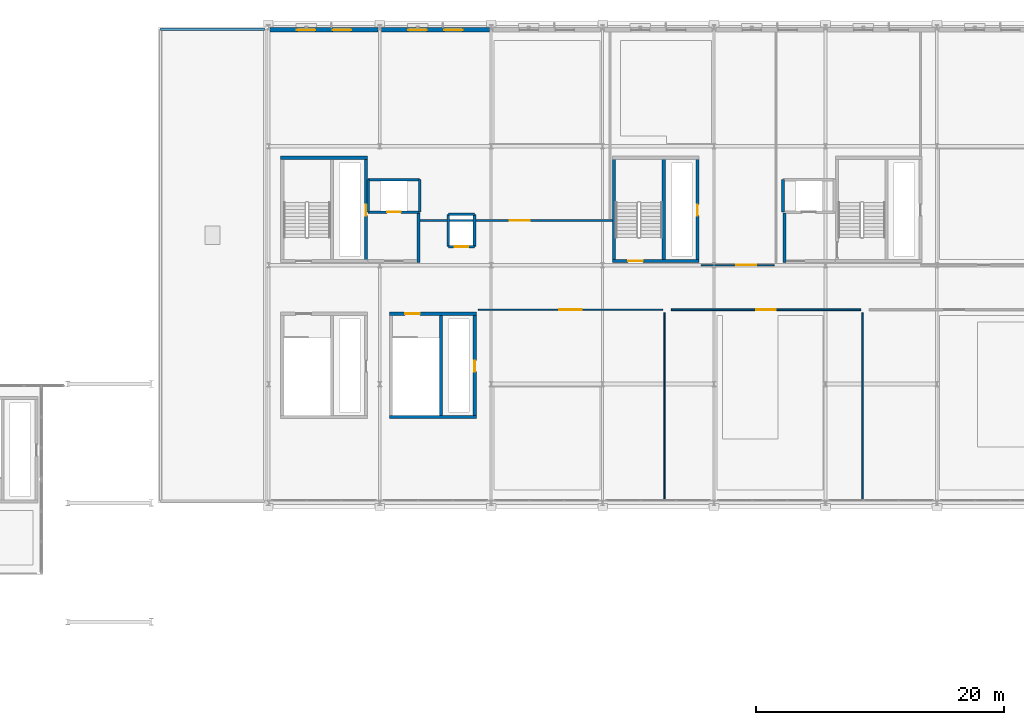
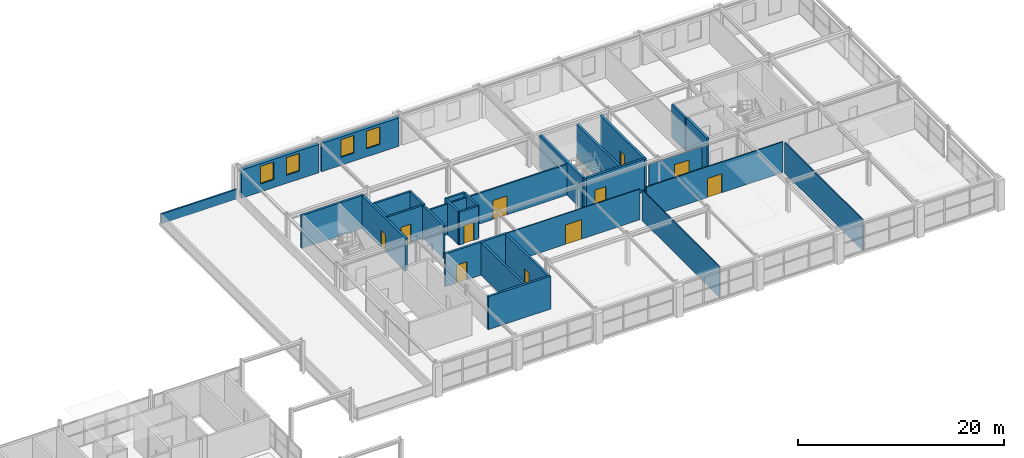
# One storey, part 38 of 52: 30 walls, 11 doors, 4 windows, 15 openings.
"""IFC4 building model written with IfcOpenShell, lengths in metres."""

from ifc_helpers import new_model, si_unit, direction, frame, frame_2d, origin, place, context, subcontext, project, spatial, rectangle, extrude, material, layer, layer_set, type_object, element, fill, save


model = new_model("IFC4")

# Units and contexts
model_context = context("Model", 3, precision=1e-05, world=origin(), true_north=direction((0.0, 1.0)))
body_context = subcontext(model_context, "Body", "Model", "MODEL_VIEW")
ifc_project = project(units=[si_unit("LENGTHUNIT", "METRE"), si_unit("AREAUNIT", "SQUARE_METRE"), si_unit("VOLUMEUNIT", "CUBIC_METRE"), si_unit("PLANEANGLEUNIT", "RADIAN"), si_unit("MASSUNIT", "GRAM", prefix="KILO")], contexts=[model_context])

# Site, building, storey
site_placement = place(None, origin())
site = spatial("IfcSite", under=ifc_project, at=site_placement, CompositionType="ELEMENT")
building_placement = place(site_placement, origin())
building = spatial("IfcBuilding", under=site, at=building_placement, Name="Myrtia Square Station", CompositionType="ELEMENT")
storey_placement = place(building_placement, frame((0.0, 0.0, 15.0)))
storey = spatial("IfcBuildingStorey", under=building, at=storey_placement, Name="L03", CompositionType="ELEMENT", Elevation=15.0)

# Wall
ifc_material_1 = material(Name="Concrete C35/45", Category="concrete")
ifc_layer_1 = layer(ifc_material_1, 0.25, Name="Concrete C35/45")
ifc_layer_set_1 = layer_set([ifc_layer_1], Name="Concrete C35/45")
wall_type_1 = type_object("IfcWallType", Name="WL-CORE-250", PredefinedType="SHEAR", material=ifc_layer_set_1)
wall_1_placement = place(storey_placement, frame((127.0, 114.27490234375, 0.0), z_axis=(0.0, 0.0, 1.0), x_axis=(1.0, 0.0, 0.0)))
element("IfcWall", 1, at=wall_1_placement, inside=storey, type_object=wall_type_1, Name="Core K7 shear wall L03 N", PredefinedType="SHEAR", context=body_context, shape_type="SweptSolid", body=[
    extrude(rectangle(XDim=7.0, YDim=0.25, at=frame_2d((3.5, 0.0))), origin(), (0.0, 0.0, 1.0), 3.89990234375),
])

# Wall, opening, door
wall_2_placement = place(storey_placement, frame((133.875, 105.800048828125, 0.0), z_axis=(0.0, 0.0, 1.0), x_axis=(0.0, 1.0, 0.0)))
wall_2 = element("IfcWall", 2, at=wall_2_placement, inside=storey, type_object=wall_type_1, Name="Core K7 shear wall L03 E", PredefinedType="SHEAR", context=body_context, shape_type="SweptSolid", body=[
    extrude(rectangle(XDim=8.599853515625, YDim=0.25, at=frame_2d((4.2998046875, 0.0))), origin(), (0.0, 0.0, 1.0), 3.89990234375),
])
opening_1_placement = place(wall_2_placement, frame((3.800048828125, 0.0, 0.0)))
opening_1 = element("IfcOpeningElement", 3, at=opening_1_placement, cuts=wall_2, Name="Opening RD-120", PredefinedType="OPENING", context=body_context, shape_type="SweptSolid", body=[
    extrude(rectangle(XDim=0.89990234375, YDim=2.050048828125, at=frame_2d((0.449951171875, 1.02490234375))), frame((0.0, 0.139892578125, 0.0), z_axis=(0.0, -1.0, 0.0), x_axis=(1.0, 0.0, 0.0)), (0.0, 0.0, 1.0), 0.280029296875),
])
ifc_material_2 = material(Name="Dark bronze anodised aluminium", Category="aluminium")
door_type_1 = type_object("IfcDoorType", Name="DR-RISER-900x2050", OperationType="NOTDEFINED", PredefinedType="DOOR", material=ifc_material_2)
door_1_placement = place(opening_1_placement, origin())
door_1 = element("IfcDoor", 4, at=door_1_placement, inside=storey, type_object=door_type_1, Name="Riser cupboard access door K7 L03", OperationType="SINGLE_SWING_RIGHT", OverallHeight=2.050048828125, OverallWidth=0.89990234375, PredefinedType="DOOR", context=body_context, shape_type="SweptSolid", body=[
    extrude(rectangle(XDim=0.89990234375, YDim=2.050048828125, at=frame_2d((0.449951171875, 1.02490234375))), frame((0.0, 0.02490234375, 0.0), z_axis=(0.0, -1.0, 0.0), x_axis=(1.0, 0.0, 0.0)), (0.0, 0.0, 1.0), 0.050048828125),
])
fill(opening_1, door_1)

# Wall
wall_3_placement = place(storey_placement, frame((135.800048828125, 93.324951171875, 0.0), z_axis=(0.0, 0.0, 1.0), x_axis=(1.0, 0.0, 0.0)))
element("IfcWall", 5, at=wall_3_placement, inside=storey, type_object=wall_type_1, Name="Core K13 shear wall L03 S", PredefinedType="SHEAR", context=body_context, shape_type="SweptSolid", body=[
    extrude(rectangle(XDim=7.0, YDim=0.25, at=frame_2d((3.5, 0.0))), origin(), (0.0, 0.0, 1.0), 3.89990234375),
])

# Wall, opening, door
wall_4_placement = place(storey_placement, frame((135.800048828125, 101.675048828125, 0.0), z_axis=(0.0, 0.0, 1.0), x_axis=(1.0, 0.0, 0.0)))
wall_4 = element("IfcWall", 6, at=wall_4_placement, inside=storey, type_object=wall_type_1, Name="Core K13 shear wall L03 N", PredefinedType="SHEAR", context=body_context, shape_type="SweptSolid", body=[
    extrude(rectangle(XDim=7.0, YDim=0.25, at=frame_2d((3.5, 0.0))), origin(), (0.0, 0.0, 1.0), 3.89990234375),
])
opening_2_placement = place(wall_4_placement, frame((1.25, 0.0, 0.0)))
opening_2 = element("IfcOpeningElement", 7, at=opening_2_placement, cuts=wall_4, Name="Opening SD-161", PredefinedType="OPENING", context=body_context, shape_type="SweptSolid", body=[
    extrude(rectangle(XDim=1.199951171875, YDim=2.14990234375, at=frame_2d((0.60009765625, 1.074951171875))), frame((0.0, 0.139892578125, 0.0), z_axis=(0.0, -1.0, 0.0), x_axis=(1.0, 0.0, 0.0)), (0.0, 0.0, 1.0), 0.280029296875),
])
door_type_2 = type_object("IfcDoorType", Name="DR-STAIR-1200x2150", OperationType="NOTDEFINED", PredefinedType="DOOR", material=ifc_material_2)
door_2_placement = place(opening_2_placement, frame((1.199951171875, 0.0, 0.0), z_axis=(0.0, 0.0, 1.0), x_axis=(-1.0, 0.0, 0.0)))
door_2 = element("IfcDoor", 8, at=door_2_placement, inside=storey, type_object=door_type_2, Name="Protected stair fire door K13 L03", OperationType="SINGLE_SWING_LEFT", OverallHeight=2.14990234375, OverallWidth=1.199951171875, PredefinedType="DOOR", context=body_context, shape_type="SweptSolid", body=[
    extrude(rectangle(XDim=1.199951171875, YDim=2.14990234375, at=frame_2d((0.60009765625, 1.074951171875))), frame((0.0, 0.02490234375, 0.0), z_axis=(0.0, -1.0, 0.0), x_axis=(1.0, 0.0, 0.0)), (0.0, 0.0, 1.0), 0.050048828125),
])
fill(opening_2, door_2)

wall_5_placement = place(storey_placement, frame((142.675048828125, 93.199951171875, 0.0), z_axis=(0.0, 0.0, 1.0), x_axis=(0.0, 1.0, 0.0)))
wall_5 = element("IfcWall", 9, at=wall_5_placement, inside=storey, type_object=wall_type_1, Name="Core K13 shear wall L03 E", PredefinedType="SHEAR", context=body_context, shape_type="SweptSolid", body=[
    extrude(rectangle(XDim=8.60009765625, YDim=0.25, at=frame_2d((4.300048828125, 0.0))), origin(), (0.0, 0.0, 1.0), 3.89990234375),
])
opening_3_placement = place(wall_5_placement, frame((3.800048828125, 0.0, 0.0)))
opening_3 = element("IfcOpeningElement", 10, at=opening_3_placement, cuts=wall_5, Name="Opening RD-162", PredefinedType="OPENING", context=body_context, shape_type="SweptSolid", body=[
    extrude(rectangle(XDim=0.89990234375, YDim=2.050048828125, at=frame_2d((0.449951171875, 1.02490234375))), frame((0.0, 0.139892578125, 0.0), z_axis=(0.0, -1.0, 0.0), x_axis=(1.0, 0.0, 0.0)), (0.0, 0.0, 1.0), 0.280029296875),
])
door_3_placement = place(opening_3_placement, origin())
door_3 = element("IfcDoor", 11, at=door_3_placement, inside=storey, type_object=door_type_1, Name="Riser cupboard access door K13 L03", OperationType="SINGLE_SWING_RIGHT", OverallHeight=2.050048828125, OverallWidth=0.89990234375, PredefinedType="DOOR", context=body_context, shape_type="SweptSolid", body=[
    extrude(rectangle(XDim=0.89990234375, YDim=2.050048828125, at=frame_2d((0.449951171875, 1.02490234375))), frame((0.0, 0.02490234375, 0.0), z_axis=(0.0, -1.0, 0.0), x_axis=(1.0, 0.0, 0.0)), (0.0, 0.0, 1.0), 0.050048828125),
])
fill(opening_3, door_3)

# Wall
wall_6_placement = place(storey_placement, frame((139.93994140625, 93.39990234375, 0.0), z_axis=(0.0, 0.0, 1.0), x_axis=(0.0, 1.0, 0.0)))
element("IfcWall", 12, at=wall_6_placement, inside=storey, type_object=wall_type_1, Name="Core K13 shear wall L03 D", PredefinedType="SHEAR", context=body_context, shape_type="SweptSolid", body=[
    extrude(rectangle(XDim=8.2001953125, YDim=0.25, at=frame_2d((4.10009765625, 0.0))), origin(), (0.0, 0.0, 1.0), 3.89990234375),
])

# Wall, opening, door
wall_7_placement = place(storey_placement, frame((153.800048828125, 105.925048828125, 0.0), z_axis=(0.0, 0.0, 1.0), x_axis=(1.0, 0.0, 0.0)))
wall_7 = element("IfcWall", 13, at=wall_7_placement, inside=storey, type_object=wall_type_1, Name="Core K15 shear wall L03 S", PredefinedType="SHEAR", context=body_context, shape_type="SweptSolid", body=[
    extrude(rectangle(XDim=7.0, YDim=0.25, at=frame_2d((3.5, 0.0))), origin(), (0.0, 0.0, 1.0), 3.89990234375),
])
opening_4_placement = place(wall_7_placement, frame((1.25, 0.0, 0.0)))
opening_4 = element("IfcOpeningElement", 14, at=opening_4_placement, cuts=wall_7, Name="Opening SD-171", PredefinedType="OPENING", context=body_context, shape_type="SweptSolid", body=[
    extrude(rectangle(XDim=1.199951171875, YDim=2.14990234375, at=frame_2d((0.60009765625, 1.074951171875))), frame((0.0, 0.139892578125, 0.0), z_axis=(0.0, -1.0, 0.0), x_axis=(1.0, 0.0, 0.0)), (0.0, 0.0, 1.0), 0.280029296875),
])
door_4_placement = place(opening_4_placement, origin())
door_4 = element("IfcDoor", 15, at=door_4_placement, inside=storey, type_object=door_type_2, Name="Protected stair fire door K15 L03", OperationType="SINGLE_SWING_LEFT", OverallHeight=2.14990234375, OverallWidth=1.199951171875, PredefinedType="DOOR", context=body_context, shape_type="SweptSolid", body=[
    extrude(rectangle(XDim=1.199951171875, YDim=2.14990234375, at=frame_2d((0.60009765625, 1.074951171875))), frame((0.0, 0.02490234375, 0.0), z_axis=(0.0, -1.0, 0.0), x_axis=(1.0, 0.0, 0.0)), (0.0, 0.0, 1.0), 0.050048828125),
])
fill(opening_4, door_4)

# Wall
wall_8_placement = place(storey_placement, frame((153.925048828125, 105.800048828125, 0.0), z_axis=(0.0, 0.0, 1.0), x_axis=(0.0, 1.0, 0.0)))
element("IfcWall", 16, at=wall_8_placement, inside=storey, type_object=wall_type_1, Name="Core K15 shear wall L03 W", PredefinedType="SHEAR", context=body_context, shape_type="SweptSolid", body=[
    extrude(rectangle(XDim=8.599853515625, YDim=0.25, at=frame_2d((4.2998046875, 0.0))), origin(), (0.0, 0.0, 1.0), 3.89990234375),
])

# Wall, opening, door
wall_9_placement = place(storey_placement, frame((160.675048828125, 105.800048828125, 0.0), z_axis=(0.0, 0.0, 1.0), x_axis=(0.0, 1.0, 0.0)))
wall_9 = element("IfcWall", 17, at=wall_9_placement, inside=storey, type_object=wall_type_1, Name="Core K15 shear wall L03 E", PredefinedType="SHEAR", context=body_context, shape_type="SweptSolid", body=[
    extrude(rectangle(XDim=8.599853515625, YDim=0.25, at=frame_2d((4.2998046875, 0.0))), origin(), (0.0, 0.0, 1.0), 3.89990234375),
])
opening_5_placement = place(wall_9_placement, frame((3.800048828125, 0.0, 0.0)))
opening_5 = element("IfcOpeningElement", 18, at=opening_5_placement, cuts=wall_9, Name="Opening RD-172", PredefinedType="OPENING", context=body_context, shape_type="SweptSolid", body=[
    extrude(rectangle(XDim=0.89990234375, YDim=2.050048828125, at=frame_2d((0.449951171875, 1.02490234375))), frame((0.0, 0.139892578125, 0.0), z_axis=(0.0, -1.0, 0.0), x_axis=(1.0, 0.0, 0.0)), (0.0, 0.0, 1.0), 0.280029296875),
])
door_5_placement = place(opening_5_placement, origin())
door_5 = element("IfcDoor", 19, at=door_5_placement, inside=storey, type_object=door_type_1, Name="Riser cupboard access door K15 L03", OperationType="SINGLE_SWING_RIGHT", OverallHeight=2.050048828125, OverallWidth=0.89990234375, PredefinedType="DOOR", context=body_context, shape_type="SweptSolid", body=[
    extrude(rectangle(XDim=0.89990234375, YDim=2.050048828125, at=frame_2d((0.449951171875, 1.02490234375))), frame((0.0, 0.02490234375, 0.0), z_axis=(0.0, -1.0, 0.0), x_axis=(1.0, 0.0, 0.0)), (0.0, 0.0, 1.0), 0.050048828125),
])
fill(opening_5, door_5)

# Wall
wall_10_placement = place(storey_placement, frame((157.93994140625, 106.0, 0.0), z_axis=(0.0, 0.0, 1.0), x_axis=(0.0, 1.0, 0.0)))
element("IfcWall", 20, at=wall_10_placement, inside=storey, type_object=wall_type_1, Name="Core K15 shear wall L03 D", PredefinedType="SHEAR", context=body_context, shape_type="SweptSolid", body=[
    extrude(rectangle(XDim=8.199951171875, YDim=0.25, at=frame_2d((4.10009765625, 0.0))), origin(), (0.0, 0.0, 1.0), 3.89990234375),
])

# Wall, openings, windows
ifc_material_3 = material(Name="Cream lime stucco on clay brick masonry", Category="masonry")
ifc_layer_2 = layer(ifc_material_3, 0.360107421875, Name="Cream lime stucco on clay brick masonry")
ifc_layer_set_2 = layer_set([ifc_layer_2], Name="Cream lime stucco on clay brick masonry")
wall_type_2 = type_object("IfcWallType", Name="WL-EXT-STUCCO-360", PredefinedType="SOLIDWALL", material=ifc_layer_set_2)
wall_11_placement = place(storey_placement, frame((126.155029296875, 124.60009765625, 0.0), z_axis=(0.0, 0.0, 1.0), x_axis=(1.0, 0.0, 0.0)))
wall_11 = element("IfcWall", 21, at=wall_11_placement, inside=storey, type_object=wall_type_2, Name="Exterior envelope wall EW-L03-0128", PredefinedType="SOLIDWALL", context=body_context, shape_type="SweptSolid", body=[
    extrude(rectangle(XDim=8.68994140625, YDim=0.360107421875, at=frame_2d((4.344970703125, 0.0))), origin(), (0.0, 0.0, 1.0), 3.360107421875),
])
opening_6_placement = place(wall_11_placement, frame((2.14697265625, 0.0, 0.949951171875)))
opening_6 = element("IfcOpeningElement", 22, at=opening_6_placement, cuts=wall_11, Name="Opening WN-149", PredefinedType="OPENING", context=body_context, shape_type="SweptSolid", body=[
    extrude(rectangle(XDim=1.5, YDim=2.10009765625, at=frame_2d((0.75, 1.050048828125))), frame((0.0, 0.195068359375, 0.0), z_axis=(0.0, -1.0, 0.0), x_axis=(1.0, 0.0, 0.0)), (0.0, 0.0, 1.0), 0.39013671875),
])
opening_7_placement = place(wall_11_placement, frame((5.04296875, 0.0, 0.949951171875)))
opening_7 = element("IfcOpeningElement", 23, at=opening_7_placement, cuts=wall_11, Name="Opening WN-150", PredefinedType="OPENING", context=body_context, shape_type="SweptSolid", body=[
    extrude(rectangle(XDim=1.5, YDim=2.10009765625, at=frame_2d((0.75, 1.050048828125))), frame((0.0, 0.195068359375, 0.0), z_axis=(0.0, -1.0, 0.0), x_axis=(1.0, 0.0, 0.0)), (0.0, 0.0, 1.0), 0.39013671875),
])
ifc_material_4 = material(Name="Tinted low-E solar control glass", Category="glass")
window_type = type_object("IfcWindowType", Name="WN-LOG-1500x2100", PartitioningType="SINGLE_PANEL", PredefinedType="WINDOW", material=ifc_material_4)
window_1_placement = place(opening_6_placement, origin())
window_1 = element("IfcWindow", 24, at=window_1_placement, inside=storey, type_object=window_type, Name="Window WN-149", OverallHeight=2.10009765625, OverallWidth=1.5, PartitioningType="SINGLE_PANEL", PredefinedType="WINDOW", context=body_context, shape_type="SweptSolid", body=[
    extrude(rectangle(XDim=1.5, YDim=2.10009765625, at=frame_2d((0.75, 1.050048828125))), frame((0.0, 0.030029296875, 0.0), z_axis=(0.0, -1.0, 0.0), x_axis=(1.0, 0.0, 0.0)), (0.0, 0.0, 1.0), 0.06005859375),
])
fill(opening_6, window_1)
window_2_placement = place(opening_7_placement, origin())
window_2 = element("IfcWindow", 25, at=window_2_placement, inside=storey, type_object=window_type, Name="Window WN-150", OverallHeight=2.10009765625, OverallWidth=1.5, PartitioningType="SINGLE_PANEL", PredefinedType="WINDOW", context=body_context, shape_type="SweptSolid", body=[
    extrude(rectangle(XDim=1.5, YDim=2.10009765625, at=frame_2d((0.75, 1.050048828125))), frame((0.0, 0.030029296875, 0.0), z_axis=(0.0, -1.0, 0.0), x_axis=(1.0, 0.0, 0.0)), (0.0, 0.0, 1.0), 0.06005859375),
])
fill(opening_7, window_2)

wall_12_placement = place(storey_placement, frame((135.155029296875, 124.60009765625, 0.0), z_axis=(0.0, 0.0, 1.0), x_axis=(1.0, 0.0, 0.0)))
wall_12 = element("IfcWall", 26, at=wall_12_placement, inside=storey, type_object=wall_type_2, Name="Exterior envelope wall EW-L03-0129", PredefinedType="SOLIDWALL", context=body_context, shape_type="SweptSolid", body=[
    extrude(rectangle(XDim=8.68994140625, YDim=0.360107421875, at=frame_2d((4.344970703125, 0.0))), origin(), (0.0, 0.0, 1.0), 3.360107421875),
])
opening_8_placement = place(wall_12_placement, frame((2.14697265625, 0.0, 0.949951171875)))
opening_8 = element("IfcOpeningElement", 27, at=opening_8_placement, cuts=wall_12, Name="Opening WN-151", PredefinedType="OPENING", context=body_context, shape_type="SweptSolid", body=[
    extrude(rectangle(XDim=1.5, YDim=2.10009765625, at=frame_2d((0.75, 1.050048828125))), frame((0.0, 0.195068359375, 0.0), z_axis=(0.0, -1.0, 0.0), x_axis=(1.0, 0.0, 0.0)), (0.0, 0.0, 1.0), 0.39013671875),
])
opening_9_placement = place(wall_12_placement, frame((5.04296875, 0.0, 0.949951171875)))
opening_9 = element("IfcOpeningElement", 28, at=opening_9_placement, cuts=wall_12, Name="Opening WN-152", PredefinedType="OPENING", context=body_context, shape_type="SweptSolid", body=[
    extrude(rectangle(XDim=1.5, YDim=2.10009765625, at=frame_2d((0.75, 1.050048828125))), frame((0.0, 0.195068359375, 0.0), z_axis=(0.0, -1.0, 0.0), x_axis=(1.0, 0.0, 0.0)), (0.0, 0.0, 1.0), 0.39013671875),
])
window_3_placement = place(opening_8_placement, origin())
window_3 = element("IfcWindow", 29, at=window_3_placement, inside=storey, type_object=window_type, Name="Window WN-151", OverallHeight=2.10009765625, OverallWidth=1.5, PartitioningType="SINGLE_PANEL", PredefinedType="WINDOW", context=body_context, shape_type="SweptSolid", body=[
    extrude(rectangle(XDim=1.5, YDim=2.10009765625, at=frame_2d((0.75, 1.050048828125))), frame((0.0, 0.030029296875, 0.0), z_axis=(0.0, -1.0, 0.0), x_axis=(1.0, 0.0, 0.0)), (0.0, 0.0, 1.0), 0.06005859375),
])
fill(opening_8, window_3)
window_4_placement = place(opening_9_placement, origin())
window_4 = element("IfcWindow", 30, at=window_4_placement, inside=storey, type_object=window_type, Name="Window WN-152", OverallHeight=2.10009765625, OverallWidth=1.5, PartitioningType="SINGLE_PANEL", PredefinedType="WINDOW", context=body_context, shape_type="SweptSolid", body=[
    extrude(rectangle(XDim=1.5, YDim=2.10009765625, at=frame_2d((0.75, 1.050048828125))), frame((0.0, 0.030029296875, 0.0), z_axis=(0.0, -1.0, 0.0), x_axis=(1.0, 0.0, 0.0)), (0.0, 0.0, 1.0), 0.06005859375),
])
fill(opening_9, window_4)

# Walls
ifc_layer_3 = layer(ifc_material_1, 0.239990234375, Name="Concrete C35/45")
ifc_layer_set_3 = layer_set([ifc_layer_3], Name="Concrete C35/45")
wall_type_3 = type_object("IfcWallType", Name="WL-FFL-240", PredefinedType="SHEAR", material=ifc_layer_set_3)
for number, where, z_axis, x_axis, name in (
    (31, (138.1298828125, 105.800048828125, 0.0), (0.0, 0.0, 1.0), (0.0, 1.0, 0.0), "Firefighting lift lobby EI 120 wall K7 L03 E"),
    (32, (167.669921875, 105.800048828125, 0.0), (0.0, 0.0, 1.0), (0.0, 1.0, 0.0), "Firefighting lift lobby EI 120 wall K8 L03 W"),
):
    element("IfcWall", number, at=place(storey_placement, frame(where, z_axis=z_axis, x_axis=x_axis)), inside=storey, type_object=wall_type_3, Name=name, PredefinedType="SHEAR", context=body_context, shape_type="SweptSolid", body=[
        extrude(rectangle(XDim=4.0, YDim=0.239990234375, at=frame_2d((2.0, 0.0))), origin(), (0.0, 0.0, 1.0), 3.89990234375),
    ])

# Wall, opening, door
ifc_layer_4 = layer(ifc_material_1, 0.219970703125, Name="Concrete C35/45")
ifc_layer_set_4 = layer_set([ifc_layer_4], Name="Concrete C35/45")
wall_type_4 = type_object("IfcWallType", Name="WL-LIFT-220", PredefinedType="SHEAR", material=ifc_layer_set_4)
wall_13_placement = place(storey_placement, frame((140.5400390625, 107.090087890625, 0.0), z_axis=(0.0, 0.0, 1.0), x_axis=(1.0, 0.0, 0.0)))
wall_13 = element("IfcWall", 33, at=wall_13_placement, inside=storey, type_object=wall_type_4, Name="Lift shaft wall PL-08 L03 -Y", PredefinedType="SHEAR", context=body_context, shape_type="SweptSolid", body=[
    extrude(rectangle(XDim=2.119873046875, YDim=0.219970703125, at=frame_2d((1.06005859375, 0.0))), origin(), (0.0, 0.0, 1.0), 3.89990234375),
])
opening_10_placement = place(wall_13_placement, frame((0.510009765625, 0.0, 0.0)))
opening_10 = element("IfcOpeningElement", 34, at=opening_10_placement, cuts=wall_13, Name="Opening LD-PL-08", PredefinedType="OPENING", context=body_context, shape_type="SweptSolid", body=[
    extrude(rectangle(XDim=1.10009765625, YDim=2.14990234375, at=frame_2d((0.550048828125, 1.074951171875))), frame((0.0, 0.125, 0.0), z_axis=(0.0, -1.0, 0.0), x_axis=(1.0, 0.0, 0.0)), (0.0, 0.0, 1.0), 0.25),
])
door_type_3 = type_object("IfcDoorType", Name="DR-LIFT-1100x2150", OperationType="NOTDEFINED", PredefinedType="DOOR", material=ifc_material_2)
door_6_placement = place(opening_10_placement, origin())
door_6 = element("IfcDoor", 35, at=door_6_placement, inside=storey, type_object=door_type_3, Name="Lift landing door PL-08 L03", OperationType="SLIDING_TO_RIGHT", OverallHeight=2.14990234375, OverallWidth=1.10009765625, PredefinedType="DOOR", context=body_context, shape_type="SweptSolid", body=[
    extrude(rectangle(XDim=1.10009765625, YDim=2.14990234375, at=frame_2d((0.550048828125, 1.074951171875))), frame((0.0, 0.02490234375, 0.0), z_axis=(0.0, -1.0, 0.0), x_axis=(1.0, 0.0, 0.0)), (0.0, 0.0, 1.0), 0.050048828125),
])
fill(opening_10, door_6)

# Walls
wall_14_placement = place(storey_placement, frame((140.5400390625, 109.7099609375, 0.0), z_axis=(0.0, 0.0, 1.0), x_axis=(1.0, 0.0, 0.0)))
element("IfcWall", 36, at=wall_14_placement, inside=storey, type_object=wall_type_4, Name="Lift shaft wall PL-08 L03 +Y", PredefinedType="SHEAR", context=body_context, shape_type="SweptSolid", body=[
    extrude(rectangle(XDim=2.119873046875, YDim=0.219970703125, at=frame_2d((1.06005859375, 0.0))), origin(), (0.0, 0.0, 1.0), 3.89990234375),
])
for number, where, z_axis, x_axis, name in (
    (37, (140.5400390625, 107.090087890625, 0.0), (0.0, 0.0, 1.0), (0.0, 1.0, 0.0), "Lift shaft wall PL-08 L03 -X"),
    (38, (142.659912109375, 107.090087890625, 0.0), (0.0, 0.0, 1.0), (0.0, 1.0, 0.0), "Lift shaft wall PL-08 L03 +X"),
):
    element("IfcWall", number, at=place(storey_placement, frame(where, z_axis=z_axis, x_axis=x_axis)), inside=storey, type_object=wall_type_4, Name=name, PredefinedType="SHEAR", context=body_context, shape_type="SweptSolid", body=[
        extrude(rectangle(XDim=2.619873046875, YDim=0.219970703125, at=frame_2d((1.31005859375, 0.0))), origin(), (0.0, 0.0, 1.0), 3.89990234375),
    ])

# Wall, opening, door
wall_15_placement = place(storey_placement, frame((134.070068359375, 109.8798828125, 0.0), z_axis=(0.0, 0.0, 1.0), x_axis=(1.0, 0.0, 0.0)))
wall_15 = element("IfcWall", 39, at=wall_15_placement, inside=storey, type_object=wall_type_4, Name="Lift shaft wall FFL-03 L03 -Y", PredefinedType="SHEAR", context=body_context, shape_type="SweptSolid", body=[
    extrude(rectangle(XDim=4.159912109375, YDim=0.219970703125, at=frame_2d((2.080078125, 0.0))), origin(), (0.0, 0.0, 1.0), 3.89990234375),
])
opening_11_placement = place(wall_15_placement, frame((1.530029296875, 0.0, 0.0)))
opening_11 = element("IfcOpeningElement", 40, at=opening_11_placement, cuts=wall_15, Name="Opening LD-FFL-03", PredefinedType="OPENING", context=body_context, shape_type="SweptSolid", body=[
    extrude(rectangle(XDim=1.10009765625, YDim=2.14990234375, at=frame_2d((0.550048828125, 1.074951171875))), frame((0.0, 0.125, 0.0), z_axis=(0.0, -1.0, 0.0), x_axis=(1.0, 0.0, 0.0)), (0.0, 0.0, 1.0), 0.25),
])
door_7_placement = place(opening_11_placement, origin())
door_7 = element("IfcDoor", 41, at=door_7_placement, inside=storey, type_object=door_type_3, Name="Lift landing door FFL-03 L03", OperationType="SLIDING_TO_RIGHT", OverallHeight=2.14990234375, OverallWidth=1.10009765625, PredefinedType="DOOR", context=body_context, shape_type="SweptSolid", body=[
    extrude(rectangle(XDim=1.10009765625, YDim=2.14990234375, at=frame_2d((0.550048828125, 1.074951171875))), frame((0.0, 0.02490234375, 0.0), z_axis=(0.0, -1.0, 0.0), x_axis=(1.0, 0.0, 0.0)), (0.0, 0.0, 1.0), 0.050048828125),
])
fill(opening_11, door_7)

# Walls
wall_16_placement = place(storey_placement, frame((134.070068359375, 112.5, 0.0), z_axis=(0.0, 0.0, 1.0), x_axis=(1.0, 0.0, 0.0)))
element("IfcWall", 42, at=wall_16_placement, inside=storey, type_object=wall_type_4, Name="Lift shaft wall FFL-03 L03 +Y", PredefinedType="SHEAR", context=body_context, shape_type="SweptSolid", body=[
    extrude(rectangle(XDim=4.159912109375, YDim=0.219970703125, at=frame_2d((2.080078125, 0.0))), origin(), (0.0, 0.0, 1.0), 3.89990234375),
])
for number, where, z_axis, x_axis, name in (
    (43, (134.070068359375, 109.8798828125, 0.0), (0.0, 0.0, 1.0), (0.0, 1.0, 0.0), "Lift shaft wall FFL-03 L03 -X"),
    (44, (138.22998046875, 109.8798828125, 0.0), (0.0, 0.0, 1.0), (0.0, 1.0, 0.0), "Lift shaft wall FFL-03 L03 +X"),
    (45, (167.570068359375, 109.8798828125, 0.0), (0.0, 0.0, 1.0), (0.0, 1.0, 0.0), "Lift shaft wall FFL-04 L03 -X"),
):
    element("IfcWall", number, at=place(storey_placement, frame(where, z_axis=z_axis, x_axis=x_axis)), inside=storey, type_object=wall_type_4, Name=name, PredefinedType="SHEAR", context=body_context, shape_type="SweptSolid", body=[
        extrude(rectangle(XDim=2.6201171875, YDim=0.219970703125, at=frame_2d((1.31005859375, 0.0))), origin(), (0.0, 0.0, 1.0), 3.89990234375),
    ])
ifc_material_5 = material(Name="Precast concrete C40/50", Category="concrete")
ifc_layer_5 = layer(ifc_material_5, 0.18994140625, Name="Precast concrete C40/50")
ifc_layer_set_5 = layer_set([ifc_layer_5], Name="Precast concrete C40/50")
wall_type_5 = type_object("IfcWallType", Name="WL-PAR-RC-190", PredefinedType="PARAPET", material=ifc_layer_set_5)
wall_17_placement = place(storey_placement, frame((125.699951171875, 124.64990234375, 0.0), z_axis=(0.0, 0.0, 1.0), x_axis=(-1.0, 0.0, 0.0)))
element("IfcWall", 46, at=wall_17_placement, inside=storey, type_object=wall_type_5, Name="Spanish Mission roof parapet 031", PredefinedType="PARAPET", context=body_context, shape_type="SweptSolid", body=[
    extrude(rectangle(XDim=8.39990234375, YDim=0.18994140625, at=frame_2d((4.199951171875, 0.0))), origin(), (0.0, 0.0, 1.0), 1.14990234375),
])

# Wall, opening, door
ifc_material_6 = material(Name="Gypsum plasterboard")
ifc_layer_6 = layer(ifc_material_6, 0.10009765625, Name="Gypsum plasterboard")
ifc_layer_set_6 = layer_set([ifc_layer_6], Name="Gypsum plasterboard")
wall_type_6 = type_object("IfcWallType", Name="WL-PART-100", PredefinedType="PARTITIONING", material=ifc_layer_set_6)
wall_18_placement = place(storey_placement, frame((142.9599609375, 102.0, 0.0), z_axis=(0.0, 0.0, 1.0), x_axis=(1.0, 0.0, 0.0)))
wall_18 = element("IfcWall", 47, at=wall_18_placement, inside=storey, type_object=wall_type_6, Name="Interior partition wall L03-11", PredefinedType="PARTITIONING", context=body_context, shape_type="SweptSolid", body=[
    extrude(rectangle(XDim=14.89013671875, YDim=0.10009765625, at=frame_2d((7.445068359375, 0.0))), origin(), (0.0, 0.0, 1.0), 3.639892578125),
])
opening_12_placement = place(wall_18_placement, frame((6.544921875, 0.0, 0.0)))
opening_12 = element("IfcOpeningElement", 48, at=opening_12_placement, cuts=wall_18, Name="Opening D-273", PredefinedType="OPENING", context=body_context, shape_type="SweptSolid", body=[
    extrude(rectangle(XDim=1.800048828125, YDim=2.300048828125, at=frame_2d((0.89990234375, 1.14990234375))), frame((0.0, 0.06494140625, 0.0), z_axis=(0.0, -1.0, 0.0), x_axis=(1.0, 0.0, 0.0)), (0.0, 0.0, 1.0), 0.130126953125),
])
door_type_4 = type_object("IfcDoorType", Name="DR-CORR-1800x2300", OperationType="NOTDEFINED", PredefinedType="DOOR", material=ifc_material_2)
door_8_placement = place(opening_12_placement, origin())
door_8 = element("IfcDoor", 49, at=door_8_placement, inside=storey, type_object=door_type_4, Name="Railway Staff Canteen door D-273", OperationType="DOUBLE_DOOR_SINGLE_SWING", OverallHeight=2.300048828125, OverallWidth=1.800048828125, PredefinedType="DOOR", context=body_context, shape_type="SweptSolid", body=[
    extrude(rectangle(XDim=1.800048828125, YDim=2.300048828125, at=frame_2d((0.89990234375, 1.14990234375))), frame((0.0, 0.02490234375, 0.0), z_axis=(0.0, -1.0, 0.0), x_axis=(1.0, 0.0, 0.0)), (0.0, 0.0, 1.0), 0.050048828125),
])
fill(opening_12, door_8)

wall_19_placement = place(storey_placement, frame((160.9599609375, 105.60009765625, 0.0), z_axis=(0.0, 0.0, 1.0), x_axis=(1.0, 0.0, 0.0)))
wall_19 = element("IfcWall", 50, at=wall_19_placement, inside=storey, type_object=wall_type_6, Name="Interior partition wall L03-15", PredefinedType="PARTITIONING", context=body_context, shape_type="SweptSolid", body=[
    extrude(rectangle(XDim=5.89013671875, YDim=0.10009765625, at=frame_2d((2.945068359375, 0.0))), origin(), (0.0, 0.0, 1.0), 3.2900390625),
])
opening_13_placement = place(wall_19_placement, frame((2.844970703125, 0.0, 0.0)))
opening_13 = element("IfcOpeningElement", 51, at=opening_13_placement, cuts=wall_19, Name="Opening D-277", PredefinedType="OPENING", context=body_context, shape_type="SweptSolid", body=[
    extrude(rectangle(XDim=1.60009765625, YDim=2.25, at=frame_2d((0.800048828125, 1.125))), frame((0.0, 0.06494140625, 0.0), z_axis=(0.0, -1.0, 0.0), x_axis=(1.0, 0.0, 0.0)), (0.0, 0.0, 1.0), 0.130126953125),
])
door_type_5 = type_object("IfcDoorType", Name="DR-CORR-1600x2250", OperationType="NOTDEFINED", PredefinedType="DOOR", material=ifc_material_2)
door_9_placement = place(opening_13_placement, frame((1.60009765625, 0.0, 0.0), z_axis=(0.0, 0.0, 1.0), x_axis=(-1.0, 0.0, 0.0)))
door_9 = element("IfcDoor", 52, at=door_9_placement, inside=storey, type_object=door_type_5, Name="Staff Quiet Reading Lounge door D-277", OperationType="DOUBLE_DOOR_SINGLE_SWING", OverallHeight=2.25, OverallWidth=1.60009765625, PredefinedType="DOOR", context=body_context, shape_type="SweptSolid", body=[
    extrude(rectangle(XDim=1.60009765625, YDim=2.25, at=frame_2d((0.800048828125, 1.125))), frame((0.0, 0.02490234375, 0.0), z_axis=(0.0, -1.0, 0.0), x_axis=(1.0, 0.0, 0.0)), (0.0, 0.0, 1.0), 0.050048828125),
])
fill(opening_13, door_9)

# Wall
wall_20_placement = place(storey_placement, frame((158.0, 86.68505859375, 0.0), z_axis=(0.0, 0.0, 1.0), x_axis=(0.0, 1.0, 0.0)))
element("IfcWall", 53, at=wall_20_placement, inside=storey, type_object=wall_type_6, Name="Room divider partition L03-11", PredefinedType="PARTITIONING", context=body_context, shape_type="SweptSolid", body=[
    extrude(rectangle(XDim=15.06494140625, YDim=0.10009765625, at=frame_2d((7.532470703125, 0.0))), origin(), (0.0, 0.0, 1.0), 3.639892578125),
])

# Wall, opening, door
ifc_layer_7 = layer(ifc_material_6, 0.125, Name="Gypsum plasterboard")
ifc_layer_set_7 = layer_set([ifc_layer_7], Name="Gypsum plasterboard")
wall_type_7 = type_object("IfcWallType", Name="WL-PART-125", PredefinedType="PARTITIONING", material=ifc_layer_set_7)
wall_21_placement = place(storey_placement, frame((158.550048828125, 102.0, 0.0), z_axis=(0.0, 0.0, 1.0), x_axis=(1.0, 0.0, 0.0)))
wall_21 = element("IfcWall", 54, at=wall_21_placement, inside=storey, type_object=wall_type_7, Name="Interior partition wall L03-12", PredefinedType="PARTITIONING", context=body_context, shape_type="SweptSolid", body=[
    extrude(rectangle(XDim=15.300048828125, YDim=0.125, at=frame_2d((7.64990234375, 0.0))), origin(), (0.0, 0.0, 1.0), 3.639892578125),
])
opening_14_placement = place(wall_21_placement, frame((6.85009765625, 0.0, 0.0)))
opening_14 = element("IfcOpeningElement", 55, at=opening_14_placement, cuts=wall_21, Name="Opening D-274", PredefinedType="OPENING", context=body_context, shape_type="SweptSolid", body=[
    extrude(rectangle(XDim=1.60009765625, YDim=2.25, at=frame_2d((0.800048828125, 1.125))), frame((0.0, 0.077392578125, 0.0), z_axis=(0.0, -1.0, 0.0), x_axis=(1.0, 0.0, 0.0)), (0.0, 0.0, 1.0), 0.155029296875),
])
door_10_placement = place(opening_14_placement, origin())
door_10 = element("IfcDoor", 56, at=door_10_placement, inside=storey, type_object=door_type_5, Name="Occupational Medical and Health Suite door D-274", OperationType="DOUBLE_DOOR_SINGLE_SWING", OverallHeight=2.25, OverallWidth=1.60009765625, PredefinedType="DOOR", context=body_context, shape_type="SweptSolid", body=[
    extrude(rectangle(XDim=1.60009765625, YDim=2.25, at=frame_2d((0.800048828125, 1.125))), frame((0.0, 0.02490234375, 0.0), z_axis=(0.0, -1.0, 0.0), x_axis=(1.0, 0.0, 0.0)), (0.0, 0.0, 1.0), 0.050048828125),
])
fill(opening_14, door_10)

# Wall
wall_22_placement = place(storey_placement, frame((174.0, 86.68505859375, 0.0), z_axis=(0.0, 0.0, 1.0), x_axis=(0.0, 1.0, 0.0)))
element("IfcWall", 57, at=wall_22_placement, inside=storey, type_object=wall_type_7, Name="Room divider partition L03-12", PredefinedType="PARTITIONING", context=body_context, shape_type="SweptSolid", body=[
    extrude(rectangle(XDim=15.06494140625, YDim=0.125, at=frame_2d((7.532470703125, 0.0))), origin(), (0.0, 0.0, 1.0), 3.639892578125),
])

# Wall, opening, door
ifc_layer_8 = layer(ifc_material_3, 0.175048828125, Name="Cream lime stucco on clay brick masonry")
ifc_layer_set_8 = layer_set([ifc_layer_8], Name="Cream lime stucco on clay brick masonry")
wall_type_8 = type_object("IfcWallType", Name="WL-PART-175", PredefinedType="PARTITIONING", material=ifc_layer_set_8)
wall_23_placement = place(storey_placement, frame((138.2548828125, 109.199951171875, 0.0), z_axis=(0.0, 0.0, 1.0), x_axis=(1.0, 0.0, 0.0)))
wall_23 = element("IfcWall", 58, at=wall_23_placement, inside=storey, type_object=wall_type_8, Name="Interior partition wall L03-14", PredefinedType="PARTITIONING", context=body_context, shape_type="SweptSolid", body=[
    extrude(rectangle(XDim=15.5400390625, YDim=0.175048828125, at=frame_2d((7.77001953125, 0.0))), origin(), (0.0, 0.0, 1.0), 3.639892578125),
])
opening_15_placement = place(wall_23_placement, frame((7.2451171875, 0.0, 0.0)))
opening_15 = element("IfcOpeningElement", 59, at=opening_15_placement, cuts=wall_23, Name="Opening D-276", PredefinedType="OPENING", context=body_context, shape_type="SweptSolid", body=[
    extrude(rectangle(XDim=1.60009765625, YDim=2.25, at=frame_2d((0.800048828125, 1.125))), frame((0.0, 0.1025390625, 0.0), z_axis=(0.0, -1.0, 0.0), x_axis=(1.0, 0.0, 0.0)), (0.0, 0.0, 1.0), 0.205078125),
])
door_11_placement = place(opening_15_placement, frame((1.60009765625, 0.0, 0.0), z_axis=(0.0, 0.0, 1.0), x_axis=(-1.0, 0.0, 0.0)))
door_11 = element("IfcDoor", 60, at=door_11_placement, inside=storey, type_object=door_type_5, Name="Crew Duty Quiet Lounge East door D-276", OperationType="DOUBLE_DOOR_SINGLE_SWING", OverallHeight=2.25, OverallWidth=1.60009765625, PredefinedType="DOOR", context=body_context, shape_type="SweptSolid", body=[
    extrude(rectangle(XDim=1.60009765625, YDim=2.25, at=frame_2d((0.800048828125, 1.125))), frame((0.0, 0.02490234375, 0.0), z_axis=(0.0, -1.0, 0.0), x_axis=(1.0, 0.0, 0.0)), (0.0, 0.0, 1.0), 0.050048828125),
])
fill(opening_15, door_11)

save(model, "model.ifc")
